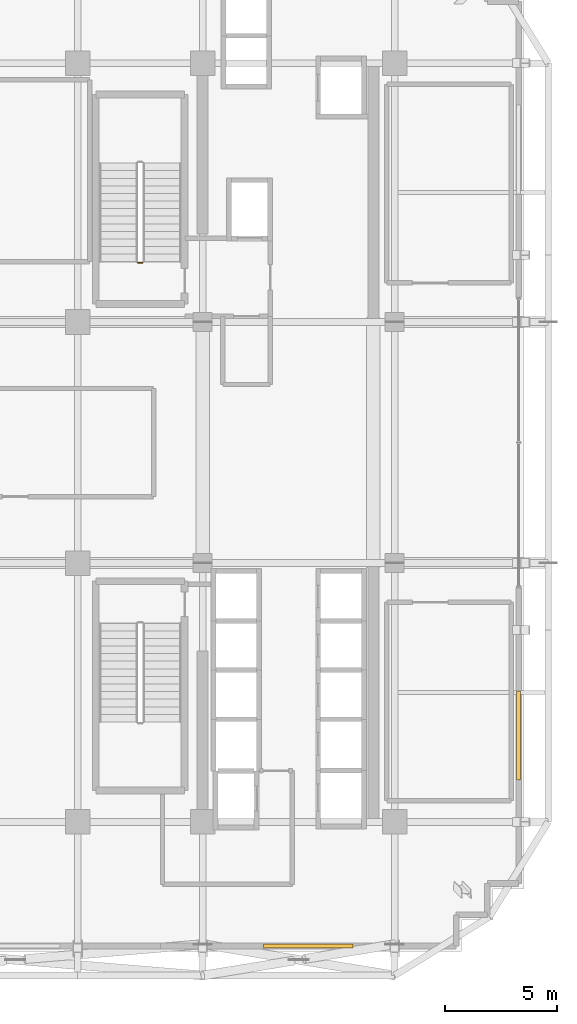
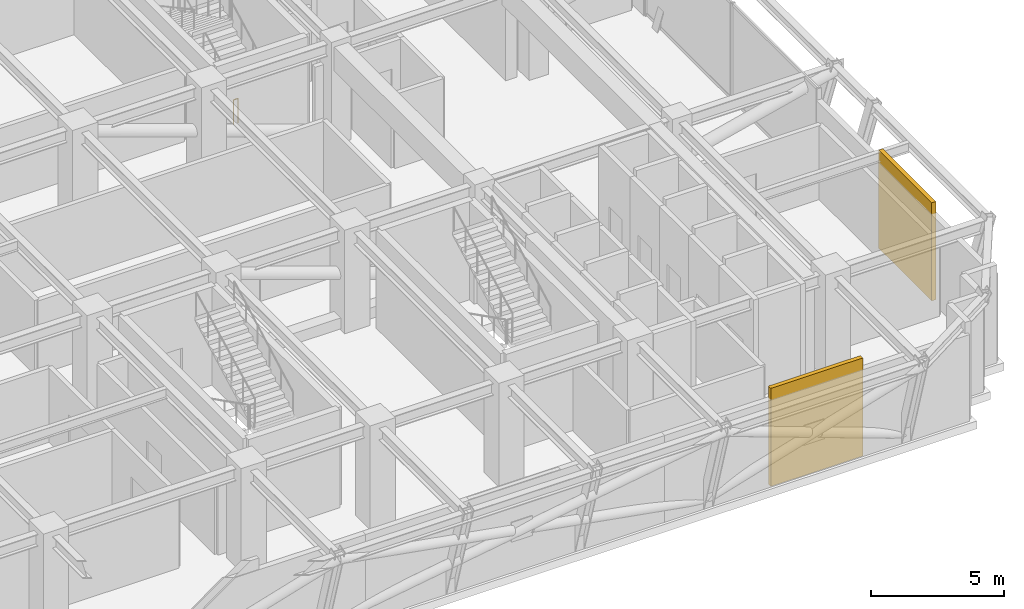
# One storey, part 14 of 16: 2 shading devices, 1 railing.
"""IFC4 building model written with IfcOpenShell, lengths in metres."""

from ifc_helpers import new_model, si_unit, direction, frame, origin, origin_2d, place, context, subcontext, project, spatial, rectangle, circle, extrude, source, transform, mapped, material, layer, layer_set, type_object, element, save


model = new_model("IFC4")

# Units and contexts
model_context = context("Model", 3, precision=1e-05, world=origin(), true_north=direction((0.0, 1.0)))
body_context = subcontext(model_context, "Body", "Model", "MODEL_VIEW")
ifc_project = project(units=[si_unit("LENGTHUNIT", "METRE"), si_unit("AREAUNIT", "SQUARE_METRE"), si_unit("VOLUMEUNIT", "CUBIC_METRE"), si_unit("PLANEANGLEUNIT", "RADIAN"), si_unit("MASSUNIT", "GRAM", prefix="KILO")], contexts=[model_context])

# Site, building, storey
site_placement = place(None, origin())
site = spatial("IfcSite", under=ifc_project, at=site_placement, CompositionType="ELEMENT")
building_placement = place(site_placement, origin())
building = spatial("IfcBuilding", under=site, at=building_placement, Name="Nahalor Promenade Grand Hotel", CompositionType="ELEMENT")
storey_placement = place(building_placement, frame((0.0, 0.0, 200.10009765625)))
storey = spatial("IfcBuildingStorey", under=building, at=storey_placement, Name="L51", CompositionType="ELEMENT", Elevation=200.10009765625)

# Railing
ifc_material_1 = material(Name="Steel S355JR", Category="steel")
railing_type = type_object("IfcRailingType", Name="Steel Stair Guardrail 1150 mm", PredefinedType="GUARDRAIL", material=ifc_material_1)
railing_placement = place(storey_placement, frame((5.699951171875, 8.050048828125, 0.0)))
element("IfcRailing", 1, at=railing_placement, inside=storey, type_object=railing_type, Name="L51 ST1 stair guard 4", PredefinedType="GUARDRAIL", context=body_context, shape_type="SweptSolid", body=[
    extrude(circle(Radius=0.024048, at=origin_2d()), frame((0.0, 0.0, 1.1259765625), z_axis=(-1.0, 0.0, 0.0), x_axis=(0.0, -1.0, 0.0)), (0.0, 0.0, 1.0), 0.199951171875),
    extrude(circle(Radius=0.020996, at=origin_2d()), origin(), (0.0, 0.0, 1.0), 1.099853515625),
    extrude(circle(Radius=0.020996, at=origin_2d()), frame((-0.199951171875, 0.0, 0.0)), (0.0, 0.0, 1.0), 1.099853515625),
])

# Shading devices
ifc_material_2 = material(Name="Anodised Bronze Aluminium EN AW-6063 T6", Category="aluminium")
ifc_layer = layer(ifc_material_2, 0.179931640625)
ifc_layer_set = layer_set([ifc_layer], Name="Anodised Bronze Aluminium EN AW-6063 T6")
shading_device_type = type_object("IfcShadingDeviceType", Name="Shade-PlantLouvre-Bronze", PredefinedType="USERDEFINED", material=ifc_layer_set)
shared_shape = source(origin(), body_context, "Body", "SweptSolid", [
    extrude(rectangle(XDim=4.0, YDim=0.179931640625, at=origin_2d()), origin(), (0.0, 0.0, 1.0), 4.510009765625),
])
for number, where, z_axis, x_axis, name in (
    (2, (13.1298828125, -22.56005859375, 0.0), (0.0, 0.0, 1.0), (1.0, 0.0, 0.0), "LV-L51-SR"),
    (3, (22.56005859375, -13.1298828125, 0.0), (0.0, 0.0, 1.0), (0.0, 1.0, 0.0), "LV-L51-EL"),
):
    element("IfcShadingDevice", number, at=place(storey_placement, frame(where, z_axis=z_axis, x_axis=x_axis)), inside=storey, type_object=shading_device_type, Name=name, ObjectType="LOUVRE", PredefinedType="USERDEFINED", context=body_context, shape_type="MappedRepresentation", body=[
        mapped(shared_shape, transform((0.0, 0.0, 0.0), scale=1.0)),
    ])

save(model, "model.ifc")
